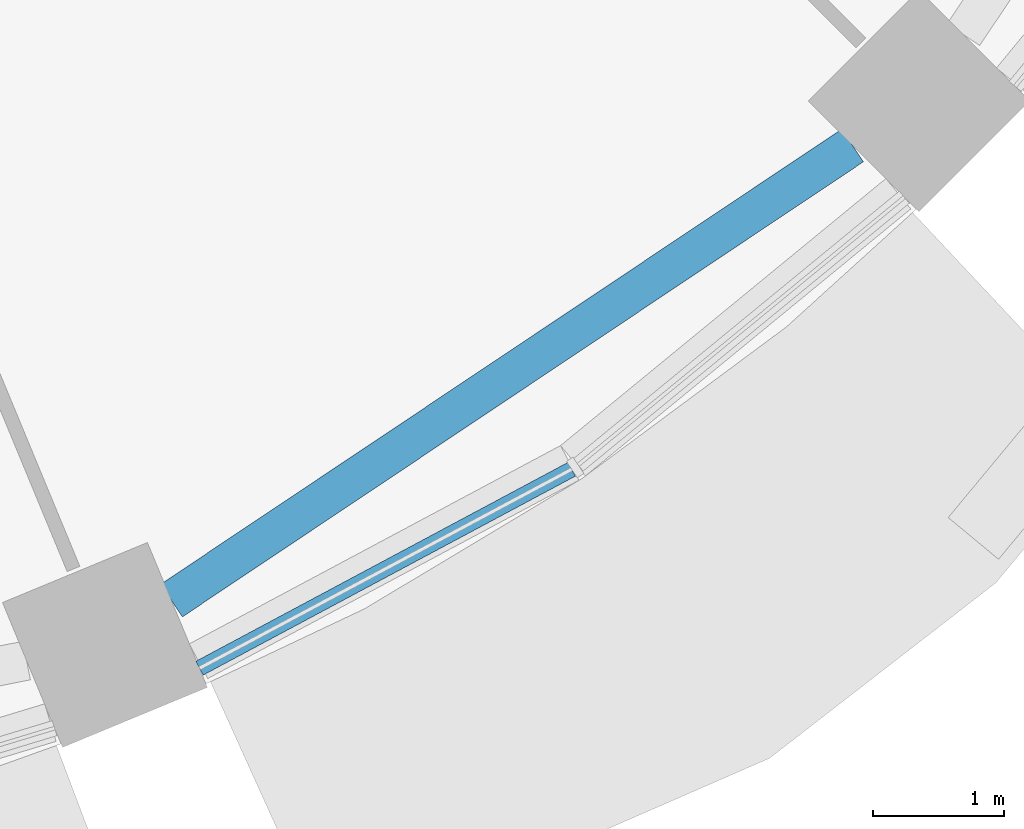
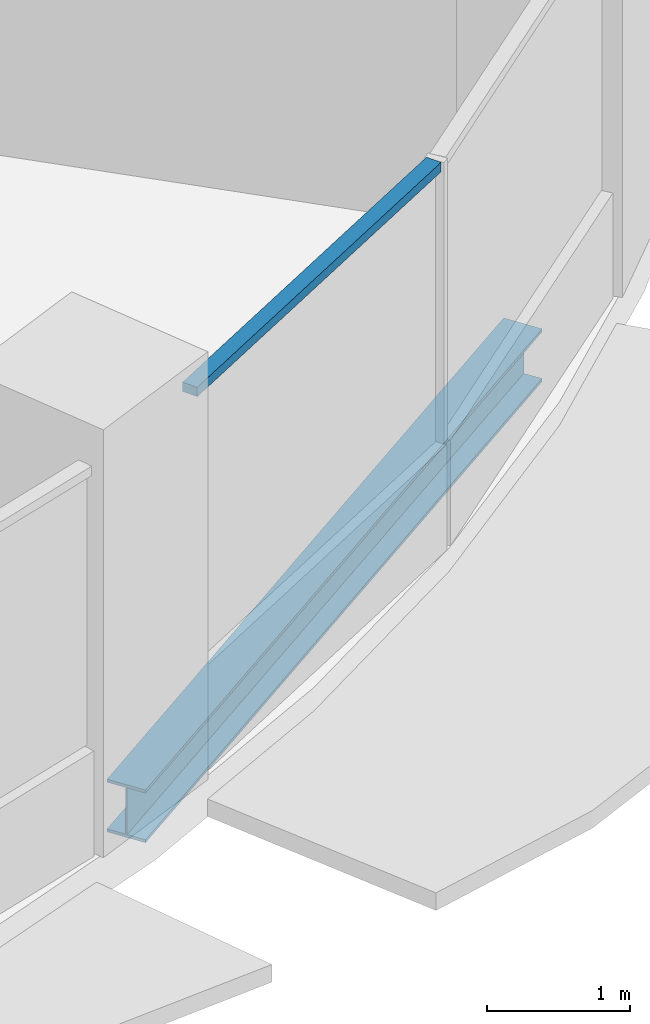
# One storey, part 3 of 15: 1 beam, 1 member, 1 element without a shape of its own.
"""IFC4 building model written with IfcOpenShell, lengths in metres."""

from ifc_helpers import new_model, si_unit, direction, frame, origin, origin_2d, place, context, subcontext, project, spatial, rectangle, i_section, extrude, material, material_profile, profile_set, type_object, element, aggregate, save


model = new_model("IFC4")

# Units and contexts
model_context = context("Model", 3, precision=1e-05, world=origin(), true_north=direction((0.0, 1.0)))
body_context = subcontext(model_context, "Body", "Model", "MODEL_VIEW")
ifc_project = project(units=[si_unit("LENGTHUNIT", "METRE"), si_unit("AREAUNIT", "SQUARE_METRE"), si_unit("VOLUMEUNIT", "CUBIC_METRE"), si_unit("PLANEANGLEUNIT", "RADIAN"), si_unit("MASSUNIT", "GRAM", prefix="KILO")], contexts=[model_context])

# Site, building, storey
site_placement = place(None, origin())
site = spatial("IfcSite", under=ifc_project, at=site_placement, CompositionType="ELEMENT")
building_placement = place(site_placement, origin())
building = spatial("IfcBuilding", under=site, at=building_placement, Name="Polderwave Tower", CompositionType="ELEMENT")
storey_placement = place(building_placement, frame((0.0, 0.0, 29.85009765625)))
storey = spatial("IfcBuildingStorey", under=building, at=storey_placement, Name="L07", CompositionType="ELEMENT", Elevation=29.85009765625)

# Curtain wall, member
ifc_material_1 = material(Name="Aluminium 6063-T6 and glass", Category="aluminium")
curtain_wall_type = type_object("IfcCurtainWallType", Name="Growing floor ribbon glazing wall", PredefinedType="NOTDEFINED", material=ifc_material_1)
curtain_wall_placement = place(storey_placement, origin())
curtain_wall = element("IfcCurtainWall", 1, at=curtain_wall_placement, inside=storey, type_object=curtain_wall_type, Name="CW2 L07 13", PredefinedType="NOTDEFINED")
ifc_material_2 = material(Name="Aluminium 6063-T6", Category="aluminium")
ifc_material_profile_1 = material_profile(ifc_material_2, rectangle(XDim=0.1201171875, YDim=0.080078125, at=origin_2d()), Name="AL 80x120")
ifc_profile_set_1 = profile_set([ifc_material_profile_1], Name="Aluminium 6063-T6")
member_type = type_object("IfcMemberType", Name="Growing floor ribbon glazing transom 80x120", PredefinedType="USERDEFINED", material=ifc_profile_set_1)
member_placement = place(storey_placement, frame((8.071044921875, -17.916015625, 3.260009765625), z_axis=(0.88192137056, 0.471396538118, 0.0), x_axis=(-0.471396538118, 0.88192137056, 0.0)))
member = element("IfcMember", 2, at=member_placement, type_object=member_type, Name="CW2 transom 1", ObjectType="TRANSOM", PredefinedType="USERDEFINED", context=body_context, shape_type="SweptSolid", body=[
    extrude(rectangle(XDim=0.1201171875, YDim=0.080078125, at=origin_2d()), origin(), (0.0, 0.0, 1.0), 3.228759765625),
])
aggregate(curtain_wall, [member])

# Beam
ifc_material_3 = material(Name="Steel S355", Category="steel")
ifc_material_profile_2 = material_profile(ifc_material_3, i_section(OverallWidth=0.300048828125, OverallDepth=0.449951171875, WebThickness=0.013916015625, FlangeThickness=0.02587890625, at=origin_2d()), Name="HE 450 B")
ifc_profile_set_2 = profile_set([ifc_material_profile_2], Name="Steel S355")
beam_type = type_object("IfcBeamType", Name="RING BEAM HE 450 B", PredefinedType="BEAM", material=ifc_profile_set_2)
beam_placement = place(storey_placement, frame((7.856201171875, -17.398681640625, -0.5751953125), z_axis=(0.831462584076, 0.555580751359, 0.0), x_axis=(-0.555580751359, 0.831462584076, 0.0)))
element("IfcBeam", 3, at=beam_placement, inside=storey, type_object=beam_type, Name="ST-RB-L07-13", PredefinedType="BEAM", context=body_context, shape_type="SweptSolid", body=[
    extrude(i_section(OverallWidth=0.300048828125, OverallDepth=0.449951171875, WebThickness=0.013916015625, FlangeThickness=0.02587890625, at=origin_2d()), origin(), (0.0, 0.0, 1.0), 6.26806640625),
])

save(model, "model.ifc")
